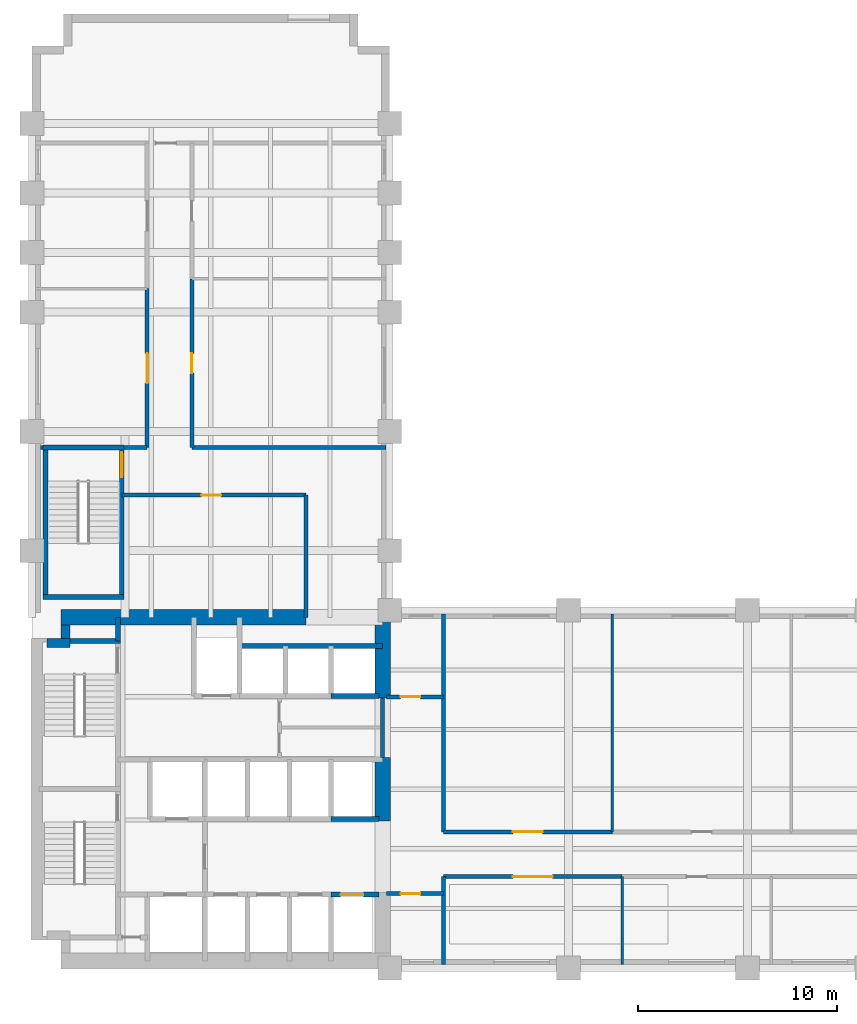
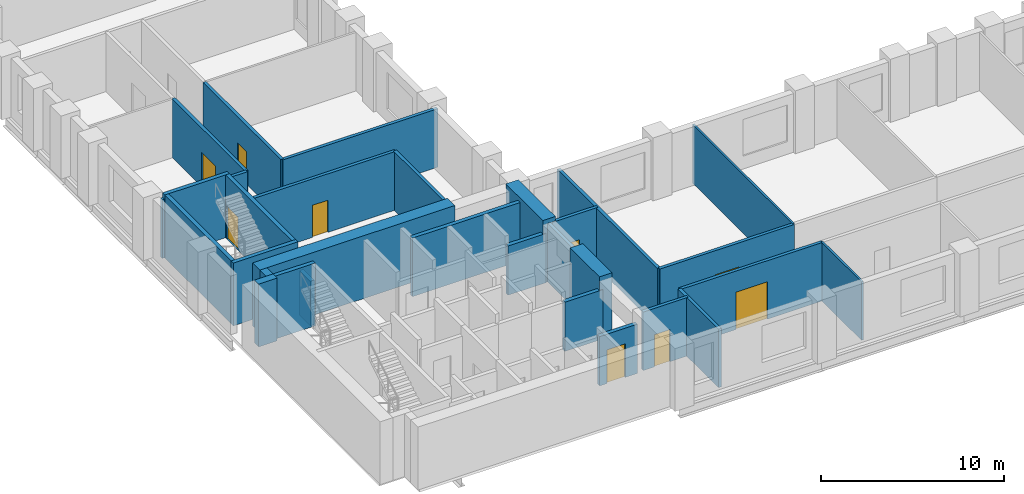
# One storey, part 4 of 7: 31 walls, 9 doors, 9 openings.
"""IFC4 building model written with IfcOpenShell, lengths in metres."""

from ifc_helpers import new_model, si_unit, direction, frame, frame_2d, origin, place, context, subcontext, project, spatial, rectangle, extrude, material, layer, layer_set, type_object, element, fill, save


model = new_model("IFC4")

# Units and contexts
model_context = context("Model", 3, precision=1e-05, world=origin(), true_north=direction((0.0, 1.0)))
body_context = subcontext(model_context, "Body", "Model", "MODEL_VIEW")
ifc_project = project(units=[si_unit("LENGTHUNIT", "METRE"), si_unit("AREAUNIT", "SQUARE_METRE"), si_unit("VOLUMEUNIT", "CUBIC_METRE"), si_unit("PLANEANGLEUNIT", "RADIAN"), si_unit("MASSUNIT", "GRAM", prefix="KILO")], contexts=[model_context])

# Site, building, storey
site_placement = place(None, origin())
site = spatial("IfcSite", under=ifc_project, at=site_placement, CompositionType="ELEMENT")
building_placement = place(site_placement, origin())
building = spatial("IfcBuilding", under=site, at=building_placement, Name="Mawjdan Bourse Tower", CompositionType="ELEMENT")
storey_placement = place(building_placement, frame((0.0, 0.0, 80.39990234375)))
storey = spatial("IfcBuildingStorey", under=building, at=storey_placement, Name="L18", CompositionType="ELEMENT", Elevation=80.39990234375)

# Wall
ifc_material_1 = material(Name="Gypsum Fireboard Assembly")
ifc_layer_1 = layer(ifc_material_1, 0.199951171875)
ifc_layer_set_1 = layer_set([ifc_layer_1], Name="Gypsum Fireboard Assembly")
wall_type_1 = type_object("IfcWallType", Name="WL-CMP-200", PredefinedType="PARTITIONING", material=ifc_layer_set_1)
wall_1_placement = place(storey_placement, frame((23.64990234375, 13.60009765625, 0.0), z_axis=(0.0, 0.0, 1.0), x_axis=(0.0, 1.0, 0.0)))
element("IfcWall", 1, at=wall_1_placement, inside=storey, type_object=wall_type_1, Name="L18 Core Restroom East Enclosing Wall", PredefinedType="PARTITIONING", context=body_context, shape_type="SweptSolid", body=[
    extrude(rectangle(XDim=3.0, YDim=0.199951171875, at=frame_2d((1.5, 0.0))), origin(), (0.0, 0.0, 1.0), 3.91015625),
])

# Wall, opening, door
wall_2_placement = place(storey_placement, frame((23.85009765625, 6.75, 0.0), z_axis=(0.0, 0.0, 1.0), x_axis=(1.0, 0.0, 0.0)))
wall_2 = element("IfcWall", 2, at=wall_2_placement, inside=storey, type_object=wall_type_1, Name="L18 West Pocket North Wall", PredefinedType="PARTITIONING", context=body_context, shape_type="SweptSolid", body=[
    extrude(rectangle(XDim=2.849853515625, YDim=0.199951171875, at=frame_2d((1.4248046875, 0.0))), origin(), (0.0, 0.0, 1.0), 3.91015625),
])
opening_1_placement = place(wall_2_placement, frame((0.699951171875, 0.0, 0.0)))
opening_1 = element("IfcOpeningElement", 3, at=opening_1_placement, cuts=wall_2, Name="Opening D-L18-17", PredefinedType="OPENING", context=body_context, shape_type="SweptSolid", body=[
    extrude(rectangle(XDim=1.0, YDim=2.14990234375, at=frame_2d((0.5, 1.074951171875))), frame((0.0, 0.10986328125, 0.0), z_axis=(0.0, -1.0, 0.0), x_axis=(1.0, 0.0, 0.0)), (0.0, 0.0, 1.0), 0.219970703125),
])
ifc_material_2 = material(Name="Hardwood Acoustic Leaf", Category="wood")
door_type_1 = type_object("IfcDoorType", Name="DR-OFC-1000", OperationType="NOTDEFINED", PredefinedType="DOOR", material=ifc_material_2)
door_1_placement = place(opening_1_placement, origin())
door_1 = element("IfcDoor", 4, at=door_1_placement, inside=storey, type_object=door_type_1, Name="L18 West Pocket Office Door D-L18-17", OperationType="SINGLE_SWING_RIGHT", OverallHeight=2.14990234375, OverallWidth=1.0, PredefinedType="DOOR", context=body_context, shape_type="SweptSolid", body=[
    extrude(rectangle(XDim=1.0, YDim=2.14990234375, at=frame_2d((0.5, 1.074951171875))), frame((0.0, 0.02490234375, 0.0), z_axis=(0.0, -1.0, 0.0), x_axis=(1.0, 0.0, 0.0)), (0.0, 0.0, 1.0), 0.050048828125),
])
fill(opening_1, door_1)

wall_3_placement = place(storey_placement, frame((23.85009765625, 16.64990234375, 0.0), z_axis=(0.0, 0.0, 1.0), x_axis=(1.0, 0.0, 0.0)))
wall_3 = element("IfcWall", 5, at=wall_3_placement, inside=storey, type_object=wall_type_1, Name="L18 West North Pocket Wall", PredefinedType="PARTITIONING", context=body_context, shape_type="SweptSolid", body=[
    extrude(rectangle(XDim=2.849853515625, YDim=0.199951171875, at=frame_2d((1.4248046875, 0.0))), origin(), (0.0, 0.0, 1.0), 3.91015625),
])
opening_2_placement = place(wall_3_placement, frame((0.699951171875, 0.0, 0.0)))
opening_2 = element("IfcOpeningElement", 6, at=opening_2_placement, cuts=wall_3, Name="Opening D-L18-18", PredefinedType="OPENING", context=body_context, shape_type="SweptSolid", body=[
    extrude(rectangle(XDim=1.0, YDim=2.14990234375, at=frame_2d((0.5, 1.074951171875))), frame((0.0, 0.10986328125, 0.0), z_axis=(0.0, -1.0, 0.0), x_axis=(1.0, 0.0, 0.0)), (0.0, 0.0, 1.0), 0.219970703125),
])
door_2_placement = place(opening_2_placement, origin())
door_2 = element("IfcDoor", 7, at=door_2_placement, inside=storey, type_object=door_type_1, Name="L18 West North Pocket Door D-L18-18", OperationType="SINGLE_SWING_LEFT", OverallHeight=2.14990234375, OverallWidth=1.0, PredefinedType="DOOR", context=body_context, shape_type="SweptSolid", body=[
    extrude(rectangle(XDim=1.0, YDim=2.14990234375, at=frame_2d((0.5, 1.074951171875))), frame((0.0, 0.02490234375, 0.0), z_axis=(0.0, -1.0, 0.0), x_axis=(1.0, 0.0, 0.0)), (0.0, 0.0, 1.0), 0.050048828125),
])
fill(opening_2, door_2)

# Walls
wall_4_placement = place(storey_placement, frame((26.699951171875, 3.179931640625, 0.0), z_axis=(0.0, 0.0, 1.0), x_axis=(0.0, 1.0, 0.0)))
element("IfcWall", 8, at=wall_4_placement, inside=storey, type_object=wall_type_1, Name="L18 Vestibule South East Wall", PredefinedType="PARTITIONING", context=body_context, shape_type="SweptSolid", body=[
    extrude(rectangle(XDim=4.420166015625, YDim=0.199951171875, at=frame_2d((2.2099609375, 0.0))), origin(), (0.0, 0.0, 1.0), 3.91015625),
])
wall_5_placement = place(storey_placement, frame((26.699951171875, 9.85009765625, 0.0), z_axis=(0.0, 0.0, 1.0), x_axis=(0.0, 1.0, 0.0)))
element("IfcWall", 9, at=wall_5_placement, inside=storey, type_object=wall_type_1, Name="L18 Vestibule North East Wall", PredefinedType="PARTITIONING", context=body_context, shape_type="SweptSolid", body=[
    extrude(rectangle(XDim=10.969970703125, YDim=0.199951171875, at=frame_2d((5.48486328125, 0.0))), origin(), (0.0, 0.0, 1.0), 3.91015625),
])

# Wall, opening, door
wall_6_placement = place(storey_placement, frame((26.699951171875, 7.60009765625, 0.0), z_axis=(0.0, 0.0, 1.0), x_axis=(1.0, 0.0, 0.0)))
wall_6 = element("IfcWall", 10, at=wall_6_placement, inside=storey, type_object=wall_type_1, Name="L18 Trading Floor Corridor Wall", PredefinedType="PARTITIONING", context=body_context, shape_type="SweptSolid", body=[
    extrude(rectangle(XDim=9.0, YDim=0.199951171875, at=frame_2d((4.5, 0.0))), origin(), (0.0, 0.0, 1.0), 3.91015625),
])
opening_3_placement = place(wall_6_placement, frame((3.5, 0.0, 0.0)))
opening_3 = element("IfcOpeningElement", 11, at=opening_3_placement, cuts=wall_6, Name="Opening D-L18-19", PredefinedType="OPENING", context=body_context, shape_type="SweptSolid", body=[
    extrude(rectangle(XDim=2.0, YDim=2.5, at=frame_2d((1.0, 1.25))), frame((0.0, 0.10986328125, 0.0), z_axis=(0.0, -1.0, 0.0), x_axis=(1.0, 0.0, 0.0)), (0.0, 0.0, 1.0), 0.219970703125),
])
ifc_material_3 = material(Name="Acoustic Veneered Timber", Category="wood")
door_type_2 = type_object("IfcDoorType", Name="DR-ASM-2000", OperationType="DOUBLE_DOOR_SINGLE_SWING", PredefinedType="DOOR", material=ifc_material_3)
door_3_placement = place(opening_3_placement, origin())
door_3 = element("IfcDoor", 12, at=door_3_placement, inside=storey, type_object=door_type_2, Name="L18 Trading Floor Door D-L18-19", OperationType="DOUBLE_DOOR_SINGLE_SWING", OverallHeight=2.5, OverallWidth=2.0, PredefinedType="DOOR", context=body_context, shape_type="SweptSolid", body=[
    extrude(rectangle(XDim=2.0, YDim=2.5, at=frame_2d((1.0, 1.25))), frame((0.0, 0.02490234375, 0.0), z_axis=(0.0, -1.0, 0.0), x_axis=(1.0, 0.0, 0.0)), (0.0, 0.0, 1.0), 0.050048828125),
])
fill(opening_3, door_3)

wall_7_placement = place(storey_placement, frame((26.699951171875, 9.85009765625, 0.0), z_axis=(0.0, 0.0, 1.0), x_axis=(1.0, 0.0, 0.0)))
wall_7 = element("IfcWall", 13, at=wall_7_placement, inside=storey, type_object=wall_type_1, Name="L18 Conference Room Corridor Wall", PredefinedType="PARTITIONING", context=body_context, shape_type="SweptSolid", body=[
    extrude(rectangle(XDim=8.5, YDim=0.199951171875, at=frame_2d((4.25, 0.0))), origin(), (0.0, 0.0, 1.0), 3.91015625),
])
opening_4_placement = place(wall_7_placement, frame((3.5, 0.0, 0.0)))
opening_4 = element("IfcOpeningElement", 14, at=opening_4_placement, cuts=wall_7, Name="Opening D-L18-22", PredefinedType="OPENING", context=body_context, shape_type="SweptSolid", body=[
    extrude(rectangle(XDim=1.5, YDim=2.300048828125, at=frame_2d((0.75, 1.14990234375))), frame((0.0, 0.10986328125, 0.0), z_axis=(0.0, -1.0, 0.0), x_axis=(1.0, 0.0, 0.0)), (0.0, 0.0, 1.0), 0.219970703125),
])
ifc_material_4 = material(Name="Acoustic Glazed Timber", Category="wood")
door_type_3 = type_object("IfcDoorType", Name="DR-CNF-1500", OperationType="DOUBLE_DOOR_SINGLE_SWING", PredefinedType="DOOR", material=ifc_material_4)
door_4_placement = place(opening_4_placement, origin())
door_4 = element("IfcDoor", 15, at=door_4_placement, inside=storey, type_object=door_type_3, Name="L18 Conference Room Door D-L18-22", OperationType="DOUBLE_DOOR_SINGLE_SWING", OverallHeight=2.300048828125, OverallWidth=1.5, PredefinedType="DOOR", context=body_context, shape_type="SweptSolid", body=[
    extrude(rectangle(XDim=1.5, YDim=2.300048828125, at=frame_2d((0.75, 1.14990234375))), frame((0.0, 0.02490234375, 0.0), z_axis=(0.0, -1.0, 0.0), x_axis=(1.0, 0.0, 0.0)), (0.0, 0.0, 1.0), 0.050048828125),
])
fill(opening_4, door_4)

wall_8_placement = place(storey_placement, frame((10.52001953125, 26.800048828125, 0.0), z_axis=(0.0, 0.0, 1.0), x_axis=(1.0, 0.0, 0.0)))
wall_8 = element("IfcWall", 16, at=wall_8_placement, inside=storey, type_object=wall_type_1, Name="L18 North Throat North Wall", PredefinedType="PARTITIONING", context=body_context, shape_type="SweptSolid", body=[
    extrude(rectangle(XDim=9.280029296875, YDim=0.199951171875, at=frame_2d((4.64013671875, 0.0))), origin(), (0.0, 0.0, 1.0), 3.91015625),
])
opening_5_placement = place(wall_8_placement, frame((4.0, 0.0, 0.0)))
opening_5 = element("IfcOpeningElement", 17, at=opening_5_placement, cuts=wall_8, Name="Opening D-L18-27", PredefinedType="OPENING", context=body_context, shape_type="SweptSolid", body=[
    extrude(rectangle(XDim=1.0, YDim=2.14990234375, at=frame_2d((0.5, 1.074951171875))), frame((0.0, 0.10986328125, 0.0), z_axis=(0.0, -1.0, 0.0), x_axis=(1.0, 0.0, 0.0)), (0.0, 0.0, 1.0), 0.219970703125),
])
door_5_placement = place(opening_5_placement, origin())
door_5 = element("IfcDoor", 18, at=door_5_placement, inside=storey, type_object=door_type_1, Name="L18 North Throat Suite Door D-L18-27", OperationType="SINGLE_SWING_LEFT", OverallHeight=2.14990234375, OverallWidth=1.0, PredefinedType="DOOR", context=body_context, shape_type="SweptSolid", body=[
    extrude(rectangle(XDim=1.0, YDim=2.14990234375, at=frame_2d((0.5, 1.074951171875))), frame((0.0, 0.02490234375, 0.0), z_axis=(0.0, -1.0, 0.0), x_axis=(1.0, 0.0, 0.0)), (0.0, 0.0, 1.0), 0.050048828125),
])
fill(opening_5, door_5)

# Walls
wall_9_placement = place(storey_placement, frame((19.800048828125, 20.64990234375, 0.0), z_axis=(0.0, 0.0, 1.0), x_axis=(0.0, 1.0, 0.0)))
element("IfcWall", 19, at=wall_9_placement, inside=storey, type_object=wall_type_1, Name="L18 North Throat East Wall", PredefinedType="PARTITIONING", context=body_context, shape_type="SweptSolid", body=[
    extrude(rectangle(XDim=6.150146484375, YDim=0.199951171875, at=frame_2d((3.0751953125, 0.0))), origin(), (0.0, 0.0, 1.0), 3.91015625),
])
wall_10_placement = place(storey_placement, frame((6.419921875, 29.179931640625, 0.0), z_axis=(0.0, 0.0, 1.0), x_axis=(1.0, 0.0, 0.0)))
element("IfcWall", 20, at=wall_10_placement, inside=storey, type_object=wall_type_1, Name="L18 North West Band ST3 West Return", PredefinedType="PARTITIONING", context=body_context, shape_type="SweptSolid", body=[
    extrude(rectangle(XDim=0.135009765625, YDim=0.199951171875, at=frame_2d((0.0673828125, 0.0))), origin(), (0.0, 0.0, 1.0), 3.91015625),
])
wall_11_placement = place(storey_placement, frame((10.6298828125, 29.179931640625, 0.0), z_axis=(0.0, 0.0, 1.0), x_axis=(1.0, 0.0, 0.0)))
element("IfcWall", 21, at=wall_11_placement, inside=storey, type_object=wall_type_1, Name="L18 North West Band South Wall", PredefinedType="PARTITIONING", context=body_context, shape_type="SweptSolid", body=[
    extrude(rectangle(XDim=1.170166015625, YDim=0.199951171875, at=frame_2d((0.5849609375, 0.0))), origin(), (0.0, 0.0, 1.0), 3.91015625),
])
wall_12_placement = place(storey_placement, frame((14.050048828125, 29.179931640625, 0.0), z_axis=(0.0, 0.0, 1.0), x_axis=(1.0, 0.0, 0.0)))
element("IfcWall", 22, at=wall_12_placement, inside=storey, type_object=wall_type_1, Name="L18 North East Band South Wall", PredefinedType="PARTITIONING", context=body_context, shape_type="SweptSolid", body=[
    extrude(rectangle(XDim=9.77001953125, YDim=0.199951171875, at=frame_2d((4.885009765625, 0.0))), origin(), (0.0, 0.0, 1.0), 3.91015625),
])

# Wall, opening, door
wall_13_placement = place(storey_placement, frame((11.800048828125, 29.179931640625, 0.0), z_axis=(0.0, 0.0, 1.0), x_axis=(0.0, 1.0, 0.0)))
wall_13 = element("IfcWall", 23, at=wall_13_placement, inside=storey, type_object=wall_type_1, Name="L18 FX Treasury Suite Corridor Wall", PredefinedType="PARTITIONING", context=body_context, shape_type="SweptSolid", body=[
    extrude(rectangle(XDim=8.0, YDim=0.199951171875, at=frame_2d((4.0, 0.0))), origin(), (0.0, 0.0, 1.0), 3.91015625),
])
opening_6_placement = place(wall_13_placement, frame((3.25, 0.0, 0.0)))
opening_6 = element("IfcOpeningElement", 24, at=opening_6_placement, cuts=wall_13, Name="Opening D-L18-28", PredefinedType="OPENING", context=body_context, shape_type="SweptSolid", body=[
    extrude(rectangle(XDim=1.5, YDim=2.300048828125, at=frame_2d((0.75, 1.14990234375))), frame((0.0, 0.10986328125, 0.0), z_axis=(0.0, -1.0, 0.0), x_axis=(1.0, 0.0, 0.0)), (0.0, 0.0, 1.0), 0.219970703125),
])
door_6_placement = place(opening_6_placement, origin())
door_6 = element("IfcDoor", 25, at=door_6_placement, inside=storey, type_object=door_type_3, Name="L18 FX Treasury Suite Door D-L18-28", OperationType="DOUBLE_DOOR_SINGLE_SWING", OverallHeight=2.300048828125, OverallWidth=1.5, PredefinedType="DOOR", context=body_context, shape_type="SweptSolid", body=[
    extrude(rectangle(XDim=1.5, YDim=2.300048828125, at=frame_2d((0.75, 1.14990234375))), frame((0.0, 0.02490234375, 0.0), z_axis=(0.0, -1.0, 0.0), x_axis=(1.0, 0.0, 0.0)), (0.0, 0.0, 1.0), 0.050048828125),
])
fill(opening_6, door_6)

wall_14_placement = place(storey_placement, frame((14.050048828125, 29.179931640625, 0.0), z_axis=(0.0, 0.0, 1.0), x_axis=(0.0, 1.0, 0.0)))
wall_14 = element("IfcWall", 26, at=wall_14_placement, inside=storey, type_object=wall_type_1, Name="L18 Executive Office Corridor Wall", PredefinedType="PARTITIONING", context=body_context, shape_type="SweptSolid", body=[
    extrude(rectangle(XDim=8.5, YDim=0.199951171875, at=frame_2d((4.25, 0.0))), origin(), (0.0, 0.0, 1.0), 3.91015625),
])
opening_7_placement = place(wall_14_placement, frame((3.75, 0.0, 0.0)))
opening_7 = element("IfcOpeningElement", 27, at=opening_7_placement, cuts=wall_14, Name="Opening D-L18-30", PredefinedType="OPENING", context=body_context, shape_type="SweptSolid", body=[
    extrude(rectangle(XDim=1.0, YDim=2.14990234375, at=frame_2d((0.5, 1.074951171875))), frame((0.0, 0.10986328125, 0.0), z_axis=(0.0, -1.0, 0.0), x_axis=(1.0, 0.0, 0.0)), (0.0, 0.0, 1.0), 0.219970703125),
])
door_7_placement = place(opening_7_placement, origin())
door_7 = element("IfcDoor", 28, at=door_7_placement, inside=storey, type_object=door_type_1, Name="L18 Executive Office Door D-L18-30", OperationType="SINGLE_SWING_RIGHT", OverallHeight=2.14990234375, OverallWidth=1.0, PredefinedType="DOOR", context=body_context, shape_type="SweptSolid", body=[
    extrude(rectangle(XDim=1.0, YDim=2.14990234375, at=frame_2d((0.5, 1.074951171875))), frame((0.0, 0.02490234375, 0.0), z_axis=(0.0, -1.0, 0.0), x_axis=(1.0, 0.0, 0.0)), (0.0, 0.0, 1.0), 0.050048828125),
])
fill(opening_7, door_7)

# Walls
ifc_material_5 = material(Name="Concrete C60/75", Category="concrete")
ifc_layer_2 = layer(ifc_material_5, 0.449951171875)
ifc_layer_set_2 = layer_set([ifc_layer_2], Name="Concrete C60/75")
wall_type_2 = type_object("IfcWallType", Name="WL-CORE-450", PredefinedType="SHEAR", material=ifc_layer_set_2)
wall_15_placement = place(storey_placement, frame((6.75, 19.35009765625, 0.0), z_axis=(0.0, 0.0, 1.0), x_axis=(1.0, 0.0, 0.0)))
element("IfcWall", 29, at=wall_15_placement, inside=storey, type_object=wall_type_2, Name="L18 Rear Core Shear Wall NW-X", PredefinedType="SHEAR", context=body_context, shape_type="SweptSolid", body=[
    extrude(rectangle(XDim=1.175048828125, YDim=0.449951171875, at=frame_2d((0.58740234375, 0.0))), origin(), (0.0, 0.0, 1.0), 4.2001953125),
])
wall_16_placement = place(storey_placement, frame((7.699951171875, 19.574951171875, 0.0), z_axis=(0.0, 0.0, 1.0), x_axis=(0.0, 1.0, 0.0)))
element("IfcWall", 30, at=wall_16_placement, inside=storey, type_object=wall_type_2, Name="L18 Rear Core Shear Wall NW-Y", PredefinedType="SHEAR", context=body_context, shape_type="SweptSolid", body=[
    extrude(rectangle(XDim=0.675048828125, YDim=0.449951171875, at=frame_2d((0.33740234375, 0.0))), origin(), (0.0, 0.0, 1.0), 4.2001953125),
])
ifc_material_6 = material(Name="Concrete C80/95", Category="concrete")
ifc_layer_3 = layer(ifc_material_6, 0.800048828125)
ifc_layer_set_3 = layer_set([ifc_layer_3], Name="Concrete C80/95")
wall_type_3 = type_object("IfcWallType", Name="WL-CORE-800", PredefinedType="SHEAR", material=ifc_layer_set_3)
wall_17_placement = place(storey_placement, frame((7.47509765625, 20.64990234375, 0.0), z_axis=(0.0, 0.0, 1.0), x_axis=(1.0, 0.0, 0.0)))
element("IfcWall", 31, at=wall_17_placement, inside=storey, type_object=wall_type_3, Name="L18 Rear Core Shear Wall N", PredefinedType="SHEAR", context=body_context, shape_type="SweptSolid", body=[
    extrude(rectangle(XDim=12.324951171875, YDim=0.800048828125, at=frame_2d((6.16259765625, 0.0))), origin(), (0.0, 0.0, 1.0), 4.2001953125),
])
wall_18_placement = place(storey_placement, frame((23.64990234375, 10.39990234375, 0.0), z_axis=(0.0, 0.0, 1.0), x_axis=(0.0, 1.0, 0.0)))
element("IfcWall", 32, at=wall_18_placement, inside=storey, type_object=wall_type_3, Name="L18 Rear Core Shear Wall E2", PredefinedType="SHEAR", context=body_context, shape_type="SweptSolid", body=[
    extrude(rectangle(XDim=3.2001953125, YDim=0.800048828125, at=frame_2d((1.60009765625, 0.0))), origin(), (0.0, 0.0, 1.0), 4.2001953125),
])
wall_19_placement = place(storey_placement, frame((23.64990234375, 16.60009765625, 0.0), z_axis=(0.0, 0.0, 1.0), x_axis=(0.0, 1.0, 0.0)))
element("IfcWall", 33, at=wall_19_placement, inside=storey, type_object=wall_type_3, Name="L18 Rear Core Shear Wall E3", PredefinedType="SHEAR", context=body_context, shape_type="SweptSolid", body=[
    extrude(rectangle(XDim=4.0498046875, YDim=0.800048828125, at=frame_2d((2.02490234375, 0.0))), origin(), (0.0, 0.0, 1.0), 4.2001953125),
])
ifc_material_7 = material(Name="Gypsum Partition")
ifc_layer_4 = layer(ifc_material_7, 0.125)
ifc_layer_set_4 = layer_set([ifc_layer_4], Name="Gypsum Partition")
wall_type_4 = type_object("IfcWallType", Name="WL-PRT-125", PredefinedType="PARTITIONING", material=ifc_layer_set_4)
wall_20_placement = place(storey_placement, frame((35.699951171875, 3.179931640625, 0.0), z_axis=(0.0, 0.0, 1.0), x_axis=(0.0, 1.0, 0.0)))
element("IfcWall", 34, at=wall_20_placement, inside=storey, type_object=wall_type_4, Name="L18 FX Treasury Suite Partition", PredefinedType="PARTITIONING", context=body_context, shape_type="SweptSolid", body=[
    extrude(rectangle(XDim=4.420166015625, YDim=0.125, at=frame_2d((2.2099609375, 0.0))), origin(), (0.0, 0.0, 1.0), 3.91015625),
])
wall_21_placement = place(storey_placement, frame((35.199951171875, 9.85009765625, 0.0), z_axis=(0.0, 0.0, 1.0), x_axis=(0.0, 1.0, 0.0)))
element("IfcWall", 35, at=wall_21_placement, inside=storey, type_object=wall_type_4, Name="L18 Executive Office Partition", PredefinedType="PARTITIONING", context=body_context, shape_type="SweptSolid", body=[
    extrude(rectangle(XDim=10.969970703125, YDim=0.125, at=frame_2d((5.48486328125, 0.0))), origin(), (0.0, 0.0, 1.0), 3.91015625),
])
ifc_material_8 = material(Name="Concrete C50/60", Category="concrete")
ifc_layer_5 = layer(ifc_material_8, 0.25)
ifc_layer_set_5 = layer_set([ifc_layer_5], Name="Concrete C50/60")
wall_type_5 = type_object("IfcWallType", Name="WL-SHFT-250", PredefinedType="PARTITIONING", material=ifc_layer_set_5)
wall_22_placement = place(storey_placement, frame((10.330078125, 19.449951171875, 0.0), z_axis=(0.0, 0.0, 1.0), x_axis=(0.0, 1.0, 0.0)))
element("IfcWall", 36, at=wall_22_placement, inside=storey, type_object=wall_type_5, Name="L18 NW Riser East Wall", PredefinedType="PARTITIONING", context=body_context, shape_type="SweptSolid", body=[
    extrude(rectangle(XDim=1.199951171875, YDim=0.25, at=frame_2d((0.60009765625, 0.0))), origin(), (0.0, 0.0, 1.0), 2.983154296875),
])
wall_23_placement = place(storey_placement, frame((21.050048828125, 16.699951171875, 0.0), z_axis=(0.0, 0.0, 1.0), x_axis=(1.0, 0.0, 0.0)))
element("IfcWall", 37, at=wall_23_placement, inside=storey, type_object=wall_type_5, Name="L18 PH-03 Front Wall", PredefinedType="PARTITIONING", context=body_context, shape_type="SweptSolid", body=[
    extrude(rectangle(XDim=2.39990234375, YDim=0.25, at=frame_2d((1.199951171875, 0.0))), origin(), (0.0, 0.0, 1.0), 3.293212890625),
])
wall_24_placement = place(storey_placement, frame((16.449951171875, 19.199951171875, 0.0), z_axis=(0.0, 0.0, 1.0), x_axis=(1.0, 0.0, 0.0)))
element("IfcWall", 38, at=wall_24_placement, inside=storey, type_object=wall_type_5, Name="L18 PH Bank North Shaft Back Wall", PredefinedType="PARTITIONING", context=body_context, shape_type="SweptSolid", body=[
    extrude(rectangle(XDim=7.199951171875, YDim=0.25, at=frame_2d((3.60009765625, 0.0))), origin(), (0.0, 0.0, 1.0), 3.91015625),
])

# Wall, opening, door
wall_25_placement = place(storey_placement, frame((21.050048828125, 6.699951171875, 0.0), z_axis=(0.0, 0.0, 1.0), x_axis=(1.0, 0.0, 0.0)))
wall_25 = element("IfcWall", 39, at=wall_25_placement, inside=storey, type_object=wall_type_5, Name="L18 PL-03 Front Wall", PredefinedType="PARTITIONING", context=body_context, shape_type="SweptSolid", body=[
    extrude(rectangle(XDim=2.39990234375, YDim=0.25, at=frame_2d((1.199951171875, 0.0))), origin(), (0.0, 0.0, 1.0), 3.293212890625),
])
opening_8_placement = place(wall_25_placement, frame((0.47998046875, 0.0, 0.0)))
opening_8 = element("IfcOpeningElement", 40, at=opening_8_placement, cuts=wall_25, Name="Opening LD-L18-13", PredefinedType="OPENING", context=body_context, shape_type="SweptSolid", body=[
    extrude(rectangle(XDim=1.14990234375, YDim=2.25, at=frame_2d((0.574951171875, 1.125))), frame((0.0, 0.135009765625, 0.0), z_axis=(0.0, -1.0, 0.0), x_axis=(1.0, 0.0, 0.0)), (0.0, 0.0, 1.0), 0.27001953125),
])
ifc_material_9 = material(Name="Brushed Stainless Steel", Category="steel")
door_type_4 = type_object("IfcDoorType", Name="LD-PAS-1150", OperationType="DOUBLE_DOOR_SLIDING", PredefinedType="DOOR", material=ifc_material_9)
door_8_placement = place(opening_8_placement, origin())
door_8 = element("IfcDoor", 41, at=door_8_placement, inside=storey, type_object=door_type_4, Name="L18 Lift PL-03 Landing Door LD-L18-13", OperationType="DOUBLE_DOOR_SLIDING", OverallHeight=2.25, OverallWidth=1.14990234375, PredefinedType="DOOR", context=body_context, shape_type="SweptSolid", body=[
    extrude(rectangle(XDim=1.14990234375, YDim=2.25, at=frame_2d((0.574951171875, 1.125))), frame((0.0, 0.02490234375, 0.0), z_axis=(0.0, -1.0, 0.0), x_axis=(1.0, 0.0, 0.0)), (0.0, 0.0, 1.0), 0.050048828125),
])
fill(opening_8, door_8)

# Walls
wall_26_placement = place(storey_placement, frame((21.050048828125, 10.5, 0.0), z_axis=(0.0, 0.0, 1.0), x_axis=(1.0, 0.0, 0.0)))
element("IfcWall", 42, at=wall_26_placement, inside=storey, type_object=wall_type_5, Name="L18 PM-04 Front Wall", PredefinedType="PARTITIONING", context=body_context, shape_type="SweptSolid", body=[
    extrude(rectangle(XDim=2.39990234375, YDim=0.25, at=frame_2d((1.199951171875, 0.0))), origin(), (0.0, 0.0, 1.0), 3.293212890625),
])
ifc_layer_6 = layer(ifc_material_8, 0.25)
ifc_layer_set_6 = layer_set([ifc_layer_6], Name="Concrete C50/60")
wall_type_6 = type_object("IfcWallType", Name="WL-STRW-250", PredefinedType="SHEAR", material=ifc_layer_set_6)
wall_27_placement = place(storey_placement, frame((7.699951171875, 19.449951171875, 0.0), z_axis=(0.0, 0.0, 1.0), x_axis=(1.0, 0.0, 0.0)))
element("IfcWall", 43, at=wall_27_placement, inside=storey, type_object=wall_type_6, Name="L18 Stairwell ST2 North Shaft Wall", PredefinedType="SHEAR", context=body_context, shape_type="SweptSolid", body=[
    extrude(rectangle(XDim=2.755126953125, YDim=0.25, at=frame_2d((1.37744140625, 0.0))), origin(), (0.0, 0.0, 1.0), 4.2001953125),
])
for number, where, z_axis, x_axis, name in (
    (44, (6.554931640625, 21.679931640625, 0.0), (0.0, 0.0, 1.0), (1.0, 0.0, 0.0), "L18 ST3 South Shaft Wall"),
    (45, (6.554931640625, 29.179931640625, 0.0), (0.0, 0.0, 1.0), (1.0, 0.0, 0.0), "L18 ST3 North Shaft Wall"),
):
    element("IfcWall", number, at=place(storey_placement, frame(where, z_axis=z_axis, x_axis=x_axis)), inside=storey, type_object=wall_type_6, Name=name, PredefinedType="SHEAR", context=body_context, shape_type="SweptSolid", body=[
        extrude(rectangle(XDim=4.090087890625, YDim=0.25, at=frame_2d((2.044921875, 0.0))), origin(), (0.0, 0.0, 1.0), 4.2001953125),
    ])
wall_28_placement = place(storey_placement, frame((6.679931640625, 21.679931640625, 0.0), z_axis=(0.0, 0.0, 1.0), x_axis=(0.0, 1.0, 0.0)))
element("IfcWall", 46, at=wall_28_placement, inside=storey, type_object=wall_type_6, Name="L18 ST3 West Shaft Wall", PredefinedType="SHEAR", context=body_context, shape_type="SweptSolid", body=[
    extrude(rectangle(XDim=7.5, YDim=0.25, at=frame_2d((3.75, 0.0))), origin(), (0.0, 0.0, 1.0), 4.2001953125),
])

# Wall, opening, door
wall_29_placement = place(storey_placement, frame((10.52001953125, 21.679931640625, 0.0), z_axis=(0.0, 0.0, 1.0), x_axis=(0.0, 1.0, 0.0)))
wall_29 = element("IfcWall", 47, at=wall_29_placement, inside=storey, type_object=wall_type_6, Name="L18 ST3 East Shaft Wall", PredefinedType="SHEAR", context=body_context, shape_type="SweptSolid", body=[
    extrude(rectangle(XDim=7.5, YDim=0.25, at=frame_2d((3.75, 0.0))), origin(), (0.0, 0.0, 1.0), 4.2001953125),
])
opening_9_placement = place(wall_29_placement, frame((6.02001953125, 0.0, 0.0)))
opening_9 = element("IfcOpeningElement", 48, at=opening_9_placement, cuts=wall_29, Name="Opening SD-L18-16", PredefinedType="OPENING", context=body_context, shape_type="SweptSolid", body=[
    extrude(rectangle(XDim=1.25, YDim=2.199951171875, at=frame_2d((0.625, 1.10009765625))), frame((0.0, 0.135009765625, 0.0), z_axis=(0.0, -1.0, 0.0), x_axis=(1.0, 0.0, 0.0)), (0.0, 0.0, 1.0), 0.27001953125),
])
ifc_material_10 = material(Name="Fire-Rated Steel Leaf", Category="steel")
door_type_5 = type_object("IfcDoorType", Name="FD-ST-1250", OperationType="NOTDEFINED", PredefinedType="DOOR", material=ifc_material_10)
door_9_placement = place(opening_9_placement, origin())
door_9 = element("IfcDoor", 49, at=door_9_placement, inside=storey, type_object=door_type_5, Name="L18 Stair ST3 Fire Door SD-L18-16", OperationType="SINGLE_SWING_LEFT", OverallHeight=2.199951171875, OverallWidth=1.25, PredefinedType="DOOR", context=body_context, shape_type="SweptSolid", body=[
    extrude(rectangle(XDim=1.25, YDim=2.199951171875, at=frame_2d((0.625, 1.10009765625))), frame((0.0, 0.02490234375, 0.0), z_axis=(0.0, -1.0, 0.0), x_axis=(1.0, 0.0, 0.0)), (0.0, 0.0, 1.0), 0.050048828125),
])
fill(opening_9, door_9)

save(model, "model.ifc")
